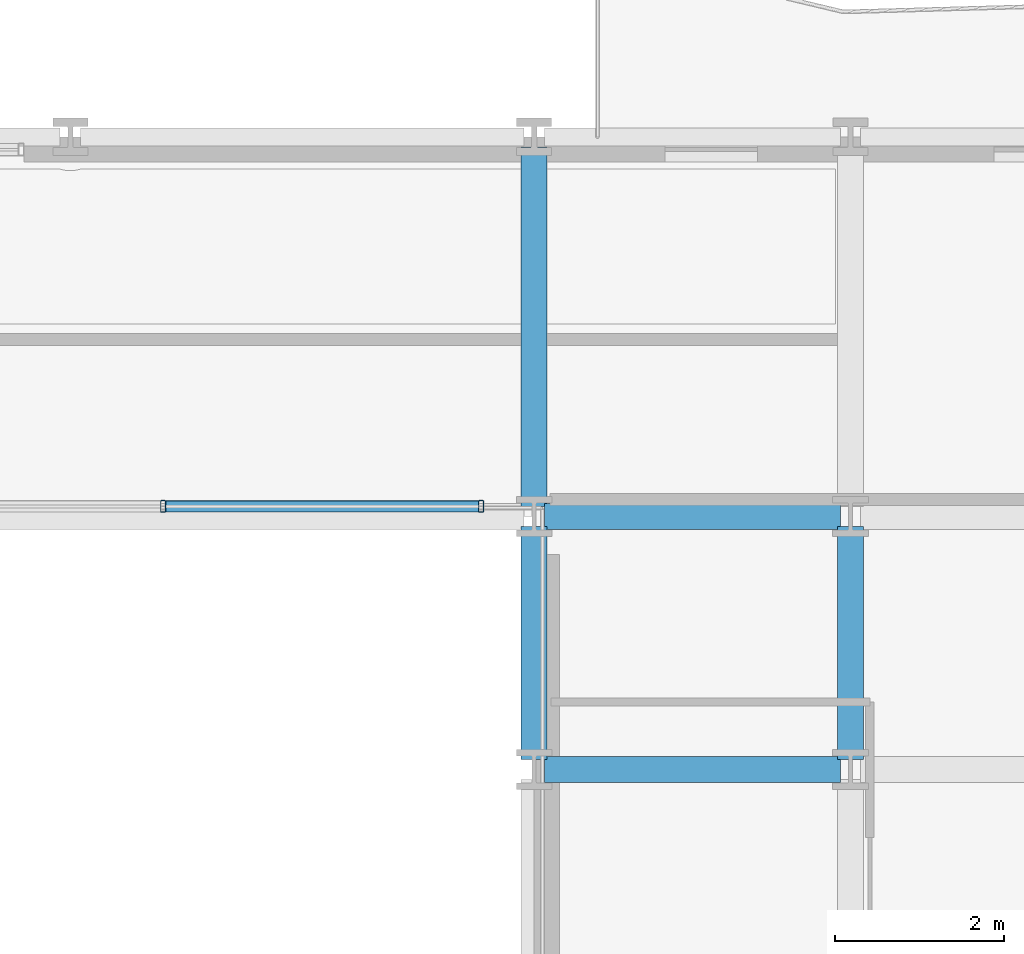
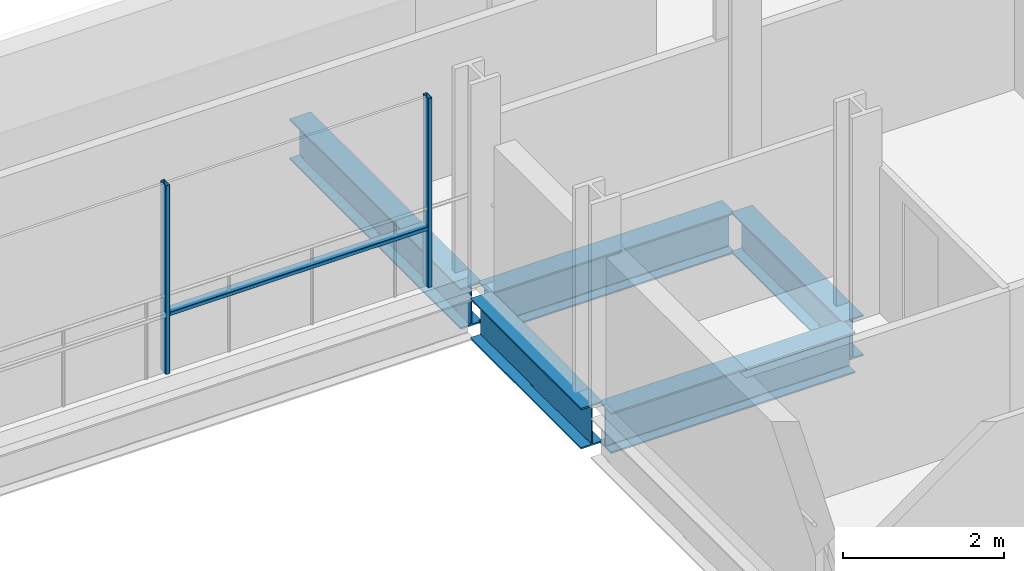
# One storey, part 17 of 40: 5 beams, 3 members, 1 element without a shape of its own.
"""IFC4 building model written with IfcOpenShell, lengths in metres."""

import ifcopenshell
import ifcopenshell.guid

model = None  # the IFC model being written
_history = None  # IfcOwnerHistory: only IFC2X3 demands one
_inside = {}  # id of a spatial element -> (the spatial element, [elements in it])
_under = {}  # id of a project, library or spatial element -> (it, [spatial elements below it])
_declared = {}  # id of a project -> (the project, [libraries it declares])
_typed = {}  # id of a type object -> (the type object, [elements of that type])
_made_of = {}  # id of a material, layer set ... -> (it, [elements and type objects made of it])


def new_model(schema):
    """Start an empty IFC model of exactly this schema.

    Asked for "IFC4X3", IfcOpenShell would pick the latest addendum, in which some entities
    have other attributes; the version numbers below select the first issue.
    IFC2X3 requires an IfcOwnerHistory on every rooted entity: one is made here for all.
    """
    global model, _history
    if schema == "IFC4X3":
        model = ifcopenshell.file(schema_version=(4, 3, 0, 0))
    else:
        model = ifcopenshell.file(schema=schema)
    _inside.clear()
    _under.clear()
    _declared.clear()
    _typed.clear()
    _made_of.clear()
    _history = None
    if model.schema == "IFC2X3":
        org = make("IfcOrganization", Name="unknown")
        user = make(
            "IfcPersonAndOrganization",
            ThePerson=make("IfcPerson", FamilyName="unknown"),
            TheOrganization=org,
        )
        app = make(
            "IfcApplication",
            ApplicationDeveloper=org,
            Version="unknown",
            ApplicationFullName="unknown",
            ApplicationIdentifier="unknown",
        )
        _history = make(
            "IfcOwnerHistory",
            OwningUser=user,
            OwningApplication=app,
            ChangeAction="ADDED",
            CreationDate=0,
        )
    return model


def make(cls, **values):
    """One entity of the class cls with the attributes given. An attribute that is None is left unset."""
    return model.create_entity(
        cls, **{name: value for name, value in values.items() if value is not None}
    )


def rooted(cls, **values):
    """An entity with a GlobalId (a new one), such as an element, a storey or a relation."""
    return make(cls, GlobalId=ifcopenshell.guid.new(), OwnerHistory=_history, **values)


def si_unit(unit_type, name, prefix=None):
    """IfcSIUnit, for example si_unit("LENGTHUNIT", "METRE", prefix="MILLI")."""
    return make("IfcSIUnit", UnitType=unit_type, Prefix=prefix, Name=name)


def assignment(units):
    """IfcUnitAssignment: the units of a project."""
    return None if units is None else make("IfcUnitAssignment", Units=units)


def point(xyz):
    """IfcCartesianPoint."""
    return None if xyz is None else make("IfcCartesianPoint", Coordinates=xyz)


def direction(xyz):
    """IfcDirection."""
    return None if xyz is None else make("IfcDirection", DirectionRatios=xyz)


def frame(location, z_axis=None, x_axis=None):
    """IfcAxis2Placement3D, a coordinate frame: its origin and axes. An axis left out is left unset."""
    return make(
        "IfcAxis2Placement3D",
        Location=point(location),
        Axis=direction(z_axis),
        RefDirection=direction(x_axis),
    )


def frame_2d(location, x_axis=None):
    """IfcAxis2Placement2D, a coordinate frame in the plane: its origin and x axis."""
    return make(
        "IfcAxis2Placement2D", Location=point(location), RefDirection=direction(x_axis)
    )


def origin():
    """The frame at (0, 0, 0) with its axes left unset."""
    return frame((0.0, 0.0, 0.0))


def origin_2d():
    """The frame at (0, 0) in the plane with its x axis left unset."""
    return frame_2d((0.0, 0.0))


def place(relative_to, where):
    """IfcLocalPlacement: puts the frame where relative to a parent placement (None: the world)."""
    return make(
        "IfcLocalPlacement", PlacementRelTo=relative_to, RelativePlacement=where
    )


def context(
    kind, dimensions, precision=None, world=None, true_north=None, identifier=None
):
    """IfcGeometricRepresentationContext, for example the 3D "Model" context."""
    return make(
        "IfcGeometricRepresentationContext",
        ContextIdentifier=identifier,
        ContextType=kind,
        CoordinateSpaceDimension=dimensions,
        Precision=precision,
        WorldCoordinateSystem=world,
        TrueNorth=true_north,
    )


def subcontext(parent, identifier, kind, view, scale=None):
    """IfcGeometricRepresentationSubContext, for example "Body" below "Model"."""
    return make(
        "IfcGeometricRepresentationSubContext",
        ContextIdentifier=identifier,
        ContextType=kind,
        ParentContext=parent,
        TargetScale=scale,
        TargetView=view,
    )


def project(units=None, contexts=None):
    """IfcProject with its units and contexts."""
    return rooted(
        "IfcProject",
        Name="project",
        RepresentationContexts=contexts,
        UnitsInContext=assignment(units),
    )


def spatial(cls, under=None, at=None, **own):
    """A site, building, storey or space (cls), placed at a placement, below another one or the project."""
    s = rooted(cls, ObjectPlacement=at, **own)
    if under is not None:
        _under.setdefault(under.id(), (under, []))[1].append(s)
    return s


def profile(cls, at=None, kind="AREA", **sizes):
    """A parametric profile (cls). Its sizes go by their IFC names, for example OverallWidth=200.0."""
    return make(cls, ProfileType=kind, Position=at, **sizes)


def hollow_rectangle(**sizes):
    """IfcRectangleHollowProfileDef."""
    return profile("IfcRectangleHollowProfileDef", **sizes)


def i_section(**sizes):
    """IfcIShapeProfileDef."""
    return profile("IfcIShapeProfileDef", **sizes)


def extrude(swept, where, along, depth):
    """IfcExtrudedAreaSolid: the profile swept, set in the frame where, extruded along a direction by depth."""
    return make(
        "IfcExtrudedAreaSolid",
        SweptArea=swept,
        Position=where,
        ExtrudedDirection=direction(along),
        Depth=depth,
    )


def shape(context_of_items, identifier, shape_type, items):
    """IfcShapeRepresentation: the items that make up one representation, for example the "Body"."""
    return make(
        "IfcShapeRepresentation",
        ContextOfItems=context_of_items,
        RepresentationIdentifier=identifier,
        RepresentationType=shape_type,
        Items=items,
    )


def material(Name=None, Category=None):
    """IfcMaterial."""
    return make("IfcMaterial", Name=Name, Category=Category)


def layer(
    of_material, thickness, ventilated=None, Name=None, Category=None, Priority=None
):
    """IfcMaterialLayer: one layer of a wall or slab, of a material (None: an air gap)."""
    return make(
        "IfcMaterialLayer",
        Material=of_material,
        LayerThickness=thickness,
        IsVentilated=ventilated,
        Name=Name,
        Category=Category,
        Priority=Priority,
    )


def layer_set(layers, Name=None):
    """IfcMaterialLayerSet."""
    return make("IfcMaterialLayerSet", MaterialLayers=layers, LayerSetName=Name)


def material_profile(
    of_material, cross_section, Name=None, Category=None, Priority=None
):
    """IfcMaterialProfile: a cross section and its material."""
    return make(
        "IfcMaterialProfile",
        Name=Name,
        Material=of_material,
        Profile=cross_section,
        Priority=Priority,
        Category=Category,
    )


def profile_set(profiles, Name=None, composite=None):
    """IfcMaterialProfileSet."""
    return make(
        "IfcMaterialProfileSet",
        Name=Name,
        MaterialProfiles=profiles,
        CompositeProfile=composite,
    )


def made_of(thing, what):
    """Note that an element or type object is made of a material, layer set ...; save() writes the relation."""
    if what is not None:
        _made_of.setdefault(what.id(), (what, []))[1].append(thing)
    return thing


def type_object(cls, material=None, **own):
    """A type object (cls), such as IfcWallType, which elements share."""
    return made_of(rooted(cls, **own), material)


def element(
    cls,
    number,
    at=None,
    inside=None,
    cuts=None,
    type_object=None,
    material=None,
    context=None,
    identifier="Body",
    shape_type=None,
    held_by="IfcProductDefinitionShape",
    body=None,
    shapes=None,
    **own,
):
    """One element of the class cls, such as IfcWall. Its Tag is "e" and its number.

    at: its placement. inside: the storey or other place that contains it. cuts: it is an
    opening in that element (IfcRelVoidsElement). A single representation is given by context,
    identifier, shape_type and body (its items); several are given by shapes. held_by: the class
    of the entity that holds the representations. save() writes the other relations.
    """
    e = rooted(cls, Tag="e%d" % number, ObjectPlacement=at, **own)
    if body is not None:
        shapes = [shape(context, identifier, shape_type, body)]
    if shapes is not None:
        e.Representation = make(held_by, Representations=shapes)
    if inside is not None:
        _inside.setdefault(inside.id(), (inside, []))[1].append(e)
    if cuts is not None:
        rooted(
            "IfcRelVoidsElement", RelatingBuildingElement=cuts, RelatedOpeningElement=e
        )
    if type_object is not None:
        _typed.setdefault(type_object.id(), (type_object, []))[1].append(e)
    return made_of(e, material)


def aggregate(whole, parts):
    """IfcRelAggregates: a whole, such as a stair, and the parts it consists of."""
    return rooted("IfcRelAggregates", RelatingObject=whole, RelatedObjects=parts)


def save(model, path):
    """Write the relations noted so far, then the file.

    IfcRelAggregates (storeys below a building ...), IfcRelContainedInSpatialStructure (elements
    in a storey), IfcRelDefinesByType, IfcRelAssociatesMaterial and IfcRelDeclares: one each for
    every whole, place, type object, material and project.
    """
    for whole, parts in _under.values():
        aggregate(whole, parts)
    for where, things in _inside.values():
        rooted(
            "IfcRelContainedInSpatialStructure",
            RelatedElements=things,
            RelatingStructure=where,
        )
    for kind, things in _typed.values():
        rooted("IfcRelDefinesByType", RelatedObjects=things, RelatingType=kind)
    for what, things in _made_of.values():
        rooted("IfcRelAssociatesMaterial", RelatedObjects=things, RelatingMaterial=what)
    for by, libraries in _declared.values():
        rooted("IfcRelDeclares", RelatingContext=by, RelatedDefinitions=libraries)
    model.write(path)


model = new_model("IFC4")

# Units and contexts
model_context = context("Model", 3, precision=1e-05, world=origin(), true_north=direction((0.0, 1.0)))
body_context = subcontext(model_context, "Body", "Model", "MODEL_VIEW")
ifc_project = project(units=[si_unit("LENGTHUNIT", "METRE"), si_unit("AREAUNIT", "SQUARE_METRE"), si_unit("VOLUMEUNIT", "CUBIC_METRE"), si_unit("PLANEANGLEUNIT", "RADIAN"), si_unit("MASSUNIT", "GRAM", prefix="KILO")], contexts=[model_context])

# Site, building, storey
site_placement = place(None, origin())
site = spatial("IfcSite", under=ifc_project, at=site_placement, CompositionType="ELEMENT")
building_placement = place(site_placement, origin())
building = spatial("IfcBuilding", under=site, at=building_placement, Name="Brevholm Reach", CompositionType="ELEMENT")
storey_placement = place(building_placement, frame((0.0, 0.0, 31.10009765625)))
storey = spatial("IfcBuildingStorey", under=building, at=storey_placement, Name="L07", CompositionType="ELEMENT", Elevation=31.10009765625)

# Beams
ifc_material_1 = material(Name="Structural Steel S355J2", Category="steel")
ifc_material_profile_1 = material_profile(ifc_material_1, i_section(OverallWidth=0.30712890625, OverallDepth=0.6201171875, WebThickness=0.01416015625, FlangeThickness=0.023681640625, FilletRadius=0.0166015625, at=origin_2d()), Name="UKB 610x305x179")
ifc_profile_set_1 = profile_set([ifc_material_profile_1], Name="Structural Steel S355J2")
beam_type = type_object("IfcBeamType", Name="BM-UKB610H", PredefinedType="USERDEFINED", material=ifc_profile_set_1)
for number, where, z_axis, x_axis, name in (
    (1, (38.3701171875, 23.5, -0.540283203125), (1.0, 0.0, 0.0), (0.0, 1.0, 0.0), "L07 G-06 Framing Beam"),
    (2, (38.3701171875, 26.5, -0.540283203125), (1.0, 0.0, 0.0), (0.0, 1.0, 0.0), "L07 G-06 Framing Beam"),
):
    element("IfcBeam", number, at=place(storey_placement, frame(where, z_axis=z_axis, x_axis=x_axis)), inside=storey, type_object=beam_type, Name=name, ObjectType="GIRDER", PredefinedType="USERDEFINED", context=body_context, shape_type="SweptSolid", body=[
        extrude(i_section(OverallWidth=0.30712890625, OverallDepth=0.6201171875, WebThickness=0.01416015625, FlangeThickness=0.023681640625, FilletRadius=0.0166015625, at=origin_2d()), origin(), (0.0, 0.0, 1.0), 3.509765625),
    ])
beam_1_placement = place(storey_placement, frame((38.25, 23.6201171875, -0.540283203125), z_axis=(0.0, 1.0, 0.0), x_axis=(-1.0, 0.0, 0.0)))
element("IfcBeam", 3, at=beam_1_placement, inside=storey, type_object=beam_type, Name="L07 G-06 Framing Beam", ObjectType="GIRDER", PredefinedType="USERDEFINED", context=body_context, shape_type="SweptSolid", body=[
    extrude(i_section(OverallWidth=0.30712890625, OverallDepth=0.6201171875, WebThickness=0.01416015625, FlangeThickness=0.023681640625, FilletRadius=0.0166015625, at=origin_2d()), origin(), (0.0, 0.0, 1.0), 2.759765625),
])
beam_2_placement = place(storey_placement, frame((38.25, 26.6201171875, -0.540283203125), z_axis=(0.0, 1.0, 0.0), x_axis=(-1.0, 0.0, 0.0)))
element("IfcBeam", 4, at=beam_2_placement, inside=storey, type_object=beam_type, Name="L07 G-06 Framing Beam", ObjectType="GIRDER", PredefinedType="USERDEFINED", context=body_context, shape_type="SweptSolid", body=[
    extrude(i_section(OverallWidth=0.30712890625, OverallDepth=0.6201171875, WebThickness=0.01416015625, FlangeThickness=0.023681640625, FilletRadius=0.0166015625, at=origin_2d()), origin(), (0.0, 0.0, 1.0), 4.259765625),
])
beam_3_placement = place(storey_placement, frame((42.0, 23.6201171875, -0.540283203125), z_axis=(0.0, 1.0, 0.0), x_axis=(-1.0, 0.0, 0.0)))
element("IfcBeam", 5, at=beam_3_placement, inside=storey, type_object=beam_type, Name="L07 G-06 Framing Beam", ObjectType="GIRDER", PredefinedType="USERDEFINED", context=body_context, shape_type="SweptSolid", body=[
    extrude(i_section(OverallWidth=0.30712890625, OverallDepth=0.6201171875, WebThickness=0.01416015625, FlangeThickness=0.023681640625, FilletRadius=0.0166015625, at=origin_2d()), origin(), (0.0, 0.0, 1.0), 2.759765625),
])

# Curtain wall, members
ifc_material_2 = material(Name="Dark Anodised Aluminium 6063-T6 and Solar-Control Glass", Category="aluminium")
ifc_layer = layer(ifc_material_2, 0.139892578125)
ifc_layer_set = layer_set([ifc_layer], Name="Dark Anodised Aluminium 6063-T6 and Solar-Control Glass")
curtain_wall_type = type_object("IfcCurtainWallType", Name="CW-02", PredefinedType="NOTDEFINED", material=ifc_layer_set)
curtain_wall_placement = place(storey_placement, origin())
curtain_wall = element("IfcCurtainWall", 6, at=curtain_wall_placement, inside=storey, type_object=curtain_wall_type, Name="L07 Curtain Wall CW-02", PredefinedType="NOTDEFINED")
ifc_material_3 = material(Name="Dark Anodised Aluminium 6063-T6", Category="aluminium")
ifc_material_profile_2 = material_profile(ifc_material_3, hollow_rectangle(XDim=0.06005859375, YDim=0.139892578125, WallThickness=0.0048828125, InnerFilletRadius=0.0048828125, OuterFilletRadius=0.010009765625, at=origin_2d()), Name="RHS 140x60x5")
ifc_profile_set_2 = profile_set([ifc_material_profile_2], Name="Dark Anodised Aluminium 6063-T6")
member_type_1 = type_object("IfcMemberType", Name="CWM-140", PredefinedType="MULLION", material=ifc_profile_set_2)
member_1_placement = place(storey_placement, frame((37.6201171875, 26.6201171875, 0.0), z_axis=(0.0, 0.0, 1.0), x_axis=(-1.0, 0.0, 0.0)))
member_1 = element("IfcMember", 7, at=member_1_placement, type_object=member_type_1, Name="CM-140 Mullion 1", PredefinedType="MULLION", context=body_context, shape_type="SweptSolid", body=[
    extrude(hollow_rectangle(XDim=0.06005859375, YDim=0.139892578125, WallThickness=0.0048828125, InnerFilletRadius=0.0048828125, OuterFilletRadius=0.010009765625, at=origin_2d()), origin(), (0.0, 0.0, 1.0), 2.869873046875),
])
member_2_placement = place(storey_placement, frame((33.85009765625, 26.6201171875, 0.0), z_axis=(0.0, 0.0, 1.0), x_axis=(-1.0, 0.0, 0.0)))
member_2 = element("IfcMember", 8, at=member_2_placement, type_object=member_type_1, Name="CM-140 Mullion 2", PredefinedType="MULLION", context=body_context, shape_type="SweptSolid", body=[
    extrude(hollow_rectangle(XDim=0.06005859375, YDim=0.139892578125, WallThickness=0.0048828125, InnerFilletRadius=0.0048828125, OuterFilletRadius=0.010009765625, at=origin_2d()), origin(), (0.0, 0.0, 1.0), 2.869873046875),
])
ifc_material_4 = material(Name="Dark Anodised Aluminium 6063-T6", Category="aluminium")
ifc_material_profile_3 = material_profile(ifc_material_4, hollow_rectangle(XDim=0.06005859375, YDim=0.139892578125, WallThickness=0.0048828125, InnerFilletRadius=0.0048828125, OuterFilletRadius=0.010009765625, at=origin_2d()), Name="RHS 140x60x5")
ifc_profile_set_3 = profile_set([ifc_material_profile_3], Name="Dark Anodised Aluminium 6063-T6")
member_type_2 = type_object("IfcMemberType", Name="CWT-140", PredefinedType="NOTDEFINED", material=ifc_profile_set_3)
member_3_placement = place(storey_placement, frame((37.590087890625, 26.6201171875, 0.89990234375), z_axis=(-1.0, 0.0, 0.0), x_axis=(0.0, 0.0, 1.0)))
member_3 = element("IfcMember", 9, at=member_3_placement, type_object=member_type_2, Name="CT-140 Transom 1.1", ObjectType="TRANSOM", PredefinedType="USERDEFINED", context=body_context, shape_type="SweptSolid", body=[
    extrude(hollow_rectangle(XDim=0.06005859375, YDim=0.139892578125, WallThickness=0.0048828125, InnerFilletRadius=0.0048828125, OuterFilletRadius=0.010009765625, at=origin_2d()), origin(), (0.0, 0.0, 1.0), 3.710205078125),
])
aggregate(curtain_wall, [member_1, member_2, member_3])

save(model, "model.ifc")
